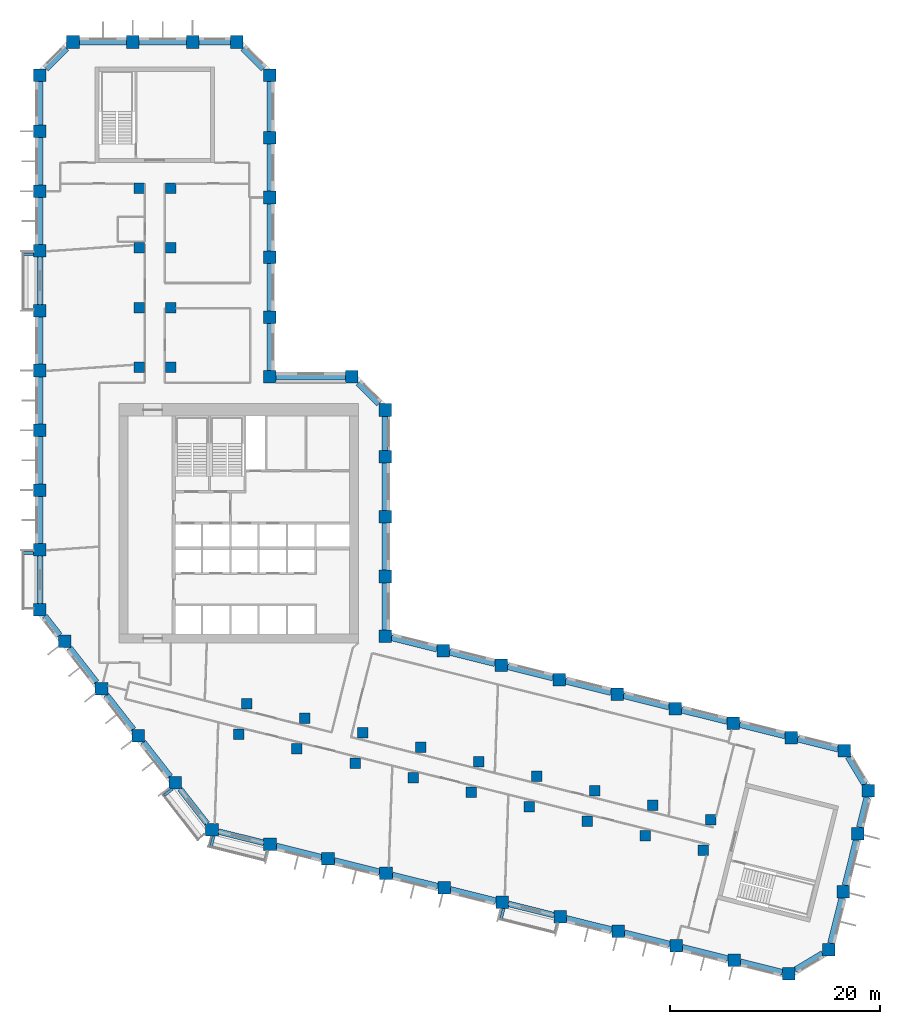
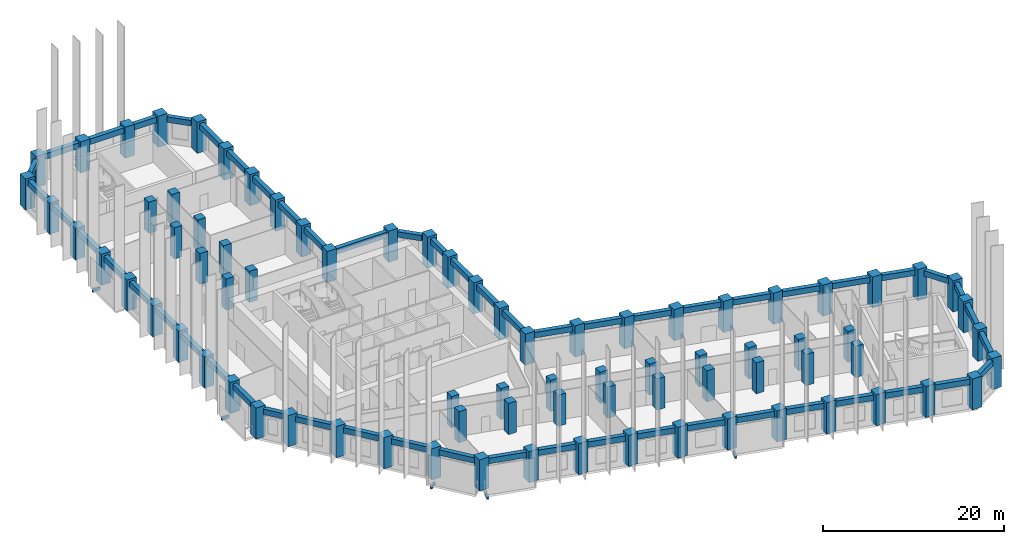
# One storey, part 1 of 10: 79 columns, 58 beams.
"""IFC4 building model written with IfcOpenShell, lengths in metres."""

from ifc_helpers import new_model, si_unit, direction, frame, origin, origin_2d, place, context, subcontext, project, spatial, rectangle, extrude, material, material_profile, profile_set, type_object, element, save


model = new_model("IFC4")

# Units and contexts
model_context = context("Model", 3, precision=1e-05, world=origin(), true_north=direction((0.0, 1.0)))
body_context = subcontext(model_context, "Body", "Model", "MODEL_VIEW")
ifc_project = project(units=[si_unit("LENGTHUNIT", "METRE"), si_unit("AREAUNIT", "SQUARE_METRE"), si_unit("VOLUMEUNIT", "CUBIC_METRE"), si_unit("PLANEANGLEUNIT", "RADIAN"), si_unit("MASSUNIT", "GRAM", prefix="KILO")], contexts=[model_context])

# Site, building, storey
site_placement = place(None, origin())
site = spatial("IfcSite", under=ifc_project, at=site_placement, CompositionType="ELEMENT")
building_placement = place(site_placement, origin())
building = spatial("IfcBuilding", under=site, at=building_placement, Name="Meshkara Civic Tower", CompositionType="ELEMENT")
storey_placement = place(building_placement, frame((0.0, 0.0, 161.39990234375)))
storey = spatial("IfcBuildingStorey", under=building, at=storey_placement, Name="L36", CompositionType="ELEMENT", Elevation=161.39990234375)

# Columns
ifc_material_1 = material(Name="Concrete C70", Category="concrete")
ifc_material_profile_1 = material_profile(ifc_material_1, rectangle(XDim=1.0, YDim=1.0, at=origin_2d()))
ifc_profile_set_1 = profile_set([ifc_material_profile_1], Name="Concrete C70")
column_type_1 = type_object("IfcColumnType", Name="Interior column RC 1000x1000 C70", PredefinedType="COLUMN", material=ifc_profile_set_1)
for number, where, z_axis, x_axis, name in (
    (1, (9.89990234375, 40.35009765625, 0.0), (0.0, 0.0, 1.0), (1.0, 0.0, 0.0), "Column SA1-04 L36"),
    (2, (9.89990234375, 46.050048828125, 0.0), (0.0, 0.0, 1.0), (1.0, 0.0, 0.0), "Column SA1-05 L36"),
    (3, (9.89990234375, 51.75, 0.0), (0.0, 0.0, 1.0), (1.0, 0.0, 0.0), "Column SA1-06 L36"),
    (4, (9.89990234375, 57.449951171875, 0.0), (0.0, 0.0, 1.0), (1.0, 0.0, 0.0), "Column SA1-07 L36"),
    (5, (12.89990234375, 40.35009765625, 0.0), (0.0, 0.0, 1.0), (1.0, 0.0, 0.0), "Column SA2-04 L36"),
    (6, (12.89990234375, 46.050048828125, 0.0), (0.0, 0.0, 1.0), (1.0, 0.0, 0.0), "Column SA2-05 L36"),
    (7, (12.89990234375, 51.75, 0.0), (0.0, 0.0, 1.0), (1.0, 0.0, 0.0), "Column SA2-06 L36"),
    (8, (12.89990234375, 57.449951171875, 0.0), (0.0, 0.0, 1.0), (1.0, 0.0, 0.0), "Column SA2-07 L36"),
    (9, (19.424072265625, 5.360107421875, 0.0), (0.0, 0.0, 1.0), (1.0, 0.0, 0.0), "Column SB1-00 L36"),
    (10, (24.9541015625, 3.98095703125, 0.0), (0.0, 0.0, 1.0), (1.0, 0.0, 0.0), "Column SB1-01 L36"),
    (11, (30.485107421875, 2.60205078125, 0.0), (0.0, 0.0, 1.0), (1.0, 0.0, 0.0), "Column SB1-02 L36"),
    (12, (36.01611328125, 1.222900390625, 0.0), (0.0, 0.0, 1.0), (1.0, 0.0, 0.0), "Column SB1-03 L36"),
    (13, (41.5458984375, -0.156005859375, 0.0), (0.0, 0.0, 1.0), (1.0, 0.0, 0.0), "Column SB1-04 L36"),
    (14, (47.076904296875, -1.534912109375, 0.0), (0.0, 0.0, 1.0), (1.0, 0.0, 0.0), "Column SB1-05 L36"),
    (15, (52.60791015625, -2.9140625, 0.0), (0.0, 0.0, 1.0), (1.0, 0.0, 0.0), "Column SB1-06 L36"),
    (16, (58.138916015625, -4.2919921875, 0.0), (0.0, 0.0, 1.0), (1.0, 0.0, 0.0), "Column SB1-07 L36"),
    (17, (63.6689453125, -5.6708984375, 0.0), (0.0, 0.0, 1.0), (1.0, 0.0, 0.0), "Column SB1-08 L36"),
    (18, (20.14892578125, 8.27099609375, 0.0), (0.0, 0.0, 1.0), (1.0, 0.0, 0.0), "Column SB2-00 L36"),
    (19, (25.679931640625, 6.89208984375, 0.0), (0.0, 0.0, 1.0), (1.0, 0.0, 0.0), "Column SB2-01 L36"),
    (20, (31.2109375, 5.512939453125, 0.0), (0.0, 0.0, 1.0), (1.0, 0.0, 0.0), "Column SB2-02 L36"),
    (21, (36.741943359375, 4.134033203125, 0.0), (0.0, 0.0, 1.0), (1.0, 0.0, 0.0), "Column SB2-03 L36"),
    (22, (42.27197265625, 2.7548828125, 0.0), (0.0, 0.0, 1.0), (1.0, 0.0, 0.0), "Column SB2-04 L36"),
    (23, (47.802978515625, 1.3759765625, 0.0), (0.0, 0.0, 1.0), (1.0, 0.0, 0.0), "Column SB2-05 L36"),
    (24, (53.333984375, -0.0029296875, 0.0), (0.0, 0.0, 1.0), (1.0, 0.0, 0.0), "Column SB2-06 L36"),
    (25, (58.864013671875, -1.382080078125, 0.0), (0.0, 0.0, 1.0), (1.0, 0.0, 0.0), "Column SB2-07 L36"),
    (26, (64.39501953125, -2.760986328125, 0.0), (0.0, 0.0, 1.0), (1.0, 0.0, 0.0), "Column SB2-08 L36"),
):
    element("IfcColumn", number, at=place(storey_placement, frame(where, z_axis=z_axis, x_axis=x_axis)), inside=storey, type_object=column_type_1, Name=name, PredefinedType="COLUMN", context=body_context, shape_type="SweptSolid", body=[
        extrude(rectangle(XDim=1.0, YDim=1.0, at=origin_2d()), origin(), (0.0, 0.0, 1.0), 4.2001953125),
    ])
ifc_material_2 = material(Name="Concrete C70", Category="concrete")
ifc_material_profile_2 = material_profile(ifc_material_2, rectangle(XDim=1.199951171875, YDim=1.199951171875, at=origin_2d()))
ifc_profile_set_2 = profile_set([ifc_material_profile_2], Name="Concrete C70")
column_type_2 = type_object("IfcColumnType", Name="Perimeter column RC 1200x1200 C70", PredefinedType="COLUMN", material=ifc_profile_set_2)
for number, where, z_axis, x_axis, name in (
    (27, (33.35009765625, 14.718994140625, 0.0), (0.0, 0.0, 1.0), (1.0, 0.0, 0.0), "Column HE00 L36"),
    (28, (33.35009765625, 20.4189453125, 0.0), (0.0, 0.0, 1.0), (1.0, 0.0, 0.0), "Column HE01 L36"),
    (29, (33.35009765625, 26.118896484375, 0.0), (0.0, 0.0, 1.0), (1.0, 0.0, 0.0), "Column HE02 L36"),
    (30, (33.35009765625, 31.819091796875, 0.0), (0.0, 0.0, 1.0), (1.0, 0.0, 0.0), "Column HE03 L36"),
    (31, (33.35009765625, 36.2939453125, 0.0), (0.0, 0.0, 1.0), (1.0, 0.0, 0.0), "Column HEE L36"),
    (32, (30.194091796875, 39.449951171875, 0.0), (0.0, 0.0, 1.0), (1.0, 0.0, 0.0), "Column HCeE L36"),
    (33, (22.35009765625, 39.449951171875, 0.0), (0.0, 0.0, 1.0), (1.0, 0.0, 0.0), "Column HN00 L36"),
    (34, (22.35009765625, 45.14990234375, 0.0), (0.0, 0.0, 1.0), (1.0, 0.0, 0.0), "Column AE01 L36"),
    (35, (22.35009765625, 50.85009765625, 0.0), (0.0, 0.0, 1.0), (1.0, 0.0, 0.0), "Column AE02 L36"),
    (36, (22.35009765625, 56.550048828125, 0.0), (0.0, 0.0, 1.0), (1.0, 0.0, 0.0), "Column AE03 L36"),
    (37, (22.35009765625, 62.25, 0.0), (0.0, 0.0, 1.0), (1.0, 0.0, 0.0), "Column AE04 L36"),
    (38, (22.35009765625, 68.214111328125, 0.0), (0.0, 0.0, 1.0), (1.0, 0.0, 0.0), "Column AEEP2 L36"),
    (39, (19.194091796875, 71.3701171875, 0.0), (0.0, 0.0, 1.0), (1.0, 0.0, 0.0), "Column ATiEP2 L36"),
    (40, (3.60595703125, 71.3701171875, 0.0), (0.0, 0.0, 1.0), (1.0, 0.0, 0.0), "Column AT00-P2 L36"),
    (41, (9.305908203125, 71.3701171875, 0.0), (0.0, 0.0, 1.0), (1.0, 0.0, 0.0), "Column AT01-P2 L36"),
    (42, (15.006103515625, 71.3701171875, 0.0), (0.0, 0.0, 1.0), (1.0, 0.0, 0.0), "Column AT02-P2 L36"),
    (43, (0.449951171875, 68.214111328125, 0.0), (0.0, 0.0, 1.0), (1.0, 0.0, 0.0), "Column ATo00-P2 L36"),
    (44, (0.449951171875, 17.2548828125, 0.0), (0.0, 0.0, 1.0), (1.0, 0.0, 0.0), "Column AW00 L36"),
    (45, (0.449951171875, 22.955078125, 0.0), (0.0, 0.0, 1.0), (1.0, 0.0, 0.0), "Column AW01 L36"),
    (46, (0.449951171875, 28.655029296875, 0.0), (0.0, 0.0, 1.0), (1.0, 0.0, 0.0), "Column AW02 L36"),
    (47, (0.449951171875, 34.35498046875, 0.0), (0.0, 0.0, 1.0), (1.0, 0.0, 0.0), "Column AW03 L36"),
    (48, (0.449951171875, 40.054931640625, 0.0), (0.0, 0.0, 1.0), (1.0, 0.0, 0.0), "Column AW04 L36"),
    (49, (0.449951171875, 45.7548828125, 0.0), (0.0, 0.0, 1.0), (1.0, 0.0, 0.0), "Column AW05 L36"),
    (50, (0.449951171875, 51.455078125, 0.0), (0.0, 0.0, 1.0), (1.0, 0.0, 0.0), "Column AW06 L36"),
    (51, (0.449951171875, 57.155029296875, 0.0), (0.0, 0.0, 1.0), (1.0, 0.0, 0.0), "Column AW07 L36"),
    (52, (0.449951171875, 62.85498046875, 0.0), (0.0, 0.0, 1.0), (1.0, 0.0, 0.0), "Column AW08 L36"),
    (53, (16.85107421875, -3.738037109375, 0.0), (0.0, 0.0, 1.0), (1.0, 0.0, 0.0), "Column BOW00 L36"),
    (54, (13.342041015625, 0.75390625, 0.0), (0.0, 0.0, 1.0), (1.0, 0.0, 0.0), "Column BOW01 L36"),
    (55, (9.8330078125, 5.2451171875, 0.0), (0.0, 0.0, 1.0), (1.0, 0.0, 0.0), "Column BOW02 L36"),
    (56, (6.322998046875, 9.737060546875, 0.0), (0.0, 0.0, 1.0), (1.0, 0.0, 0.0), "Column BOW03 L36"),
    (57, (2.81396484375, 14.22900390625, 0.0), (0.0, 0.0, 1.0), (1.0, 0.0, 0.0), "Column BOW04 L36"),
    (58, (22.382080078125, -5.116943359375, 0.0), (0.0, 0.0, 1.0), (1.0, 0.0, 0.0), "Column BS01 L36"),
    (59, (27.912109375, -6.49609375, 0.0), (0.0, 0.0, 1.0), (1.0, 0.0, 0.0), "Column BS02 L36"),
    (60, (33.443115234375, -7.875, 0.0), (0.0, 0.0, 1.0), (1.0, 0.0, 0.0), "Column BS03 L36"),
    (61, (38.97412109375, -9.2529296875, 0.0), (0.0, 0.0, 1.0), (1.0, 0.0, 0.0), "Column BS04-P1 L36"),
    (62, (44.5048828125, -10.632080078125, 0.0), (0.0, 0.0, 1.0), (1.0, 0.0, 0.0), "Column BS05 L36"),
    (63, (50.034912109375, -12.010986328125, 0.0), (0.0, 0.0, 1.0), (1.0, 0.0, 0.0), "Column BS06 L36"),
    (64, (55.56591796875, -13.389892578125, 0.0), (0.0, 0.0, 1.0), (1.0, 0.0, 0.0), "Column BS07 L36"),
    (65, (61.096923828125, -14.76904296875, 0.0), (0.0, 0.0, 1.0), (1.0, 0.0, 0.0), "Column BS08 L36"),
    (66, (66.626953125, -16.14794921875, 0.0), (0.0, 0.0, 1.0), (1.0, 0.0, 0.0), "Column BS09 L36"),
    (67, (71.826904296875, -17.444091796875, 0.0), (0.0, 0.0, 1.0), (1.0, 0.0, 0.0), "Column BSEP2 L36"),
    (68, (75.653076171875, -15.14501953125, 0.0), (0.0, 0.0, 1.0), (1.0, 0.0, 0.0), "Column BToEP2 L36"),
    (69, (77.031982421875, -9.614013671875, 0.0), (0.0, 0.0, 1.0), (1.0, 0.0, 0.0), "Column BT01-P2 L36"),
    (70, (78.410888671875, -4.083984375, 0.0), (0.0, 0.0, 1.0), (1.0, 0.0, 0.0), "Column BT02-P2 L36"),
    (71, (79.424072265625, -0.02099609375, 0.0), (0.0, 0.0, 1.0), (1.0, 0.0, 0.0), "Column BTEP2 L36"),
    (72, (77.125, 3.803955078125, 0.0), (0.0, 0.0, 1.0), (1.0, 0.0, 0.0), "Column BTi00-P2 L36"),
    (73, (38.881103515625, 13.340087890625, 0.0), (0.0, 0.0, 1.0), (1.0, 0.0, 0.0), "Column BN01 L36"),
    (74, (44.410888671875, 11.9609375, 0.0), (0.0, 0.0, 1.0), (1.0, 0.0, 0.0), "Column BN02 L36"),
    (75, (49.94189453125, 10.58203125, 0.0), (0.0, 0.0, 1.0), (1.0, 0.0, 0.0), "Column BN03 L36"),
    (76, (55.472900390625, 9.202880859375, 0.0), (0.0, 0.0, 1.0), (1.0, 0.0, 0.0), "Column BN04 L36"),
    (77, (61.0029296875, 7.823974609375, 0.0), (0.0, 0.0, 1.0), (1.0, 0.0, 0.0), "Column BN05 L36"),
    (78, (66.533935546875, 6.445068359375, 0.0), (0.0, 0.0, 1.0), (1.0, 0.0, 0.0), "Column BN06 L36"),
    (79, (72.06494140625, 5.06591796875, 0.0), (0.0, 0.0, 1.0), (1.0, 0.0, 0.0), "Column BN07 L36"),
):
    element("IfcColumn", number, at=place(storey_placement, frame(where, z_axis=z_axis, x_axis=x_axis)), inside=storey, type_object=column_type_2, Name=name, PredefinedType="COLUMN", context=body_context, shape_type="SweptSolid", body=[
        extrude(rectangle(XDim=1.199951171875, YDim=1.199951171875, at=origin_2d()), origin(), (0.0, 0.0, 1.0), 4.2001953125),
    ])

# Beams
ifc_material_3 = material(Name="Concrete C50", Category="concrete")
ifc_material_profile_3 = material_profile(ifc_material_3, rectangle(XDim=0.25, YDim=0.39990234375, at=origin_2d()))
ifc_profile_set_3 = profile_set([ifc_material_profile_3], Name="Concrete C50")
beam_type_1 = type_object("IfcBeamType", Name="Balcony bracket beam RC 250x400 C50", PredefinedType="BEAM", material=ifc_profile_set_3)
for number, where, z_axis, x_axis, name in (
    (80, (-0.14501953125, 51.155029296875, -0.5), (-1.0, 0.0, 0.0), (0.0, -1.0, 0.0), "Balcony bracket beam"),
    (81, (-0.14501953125, 22.655029296875, -0.5), (-1.0, 0.0, 0.0), (0.0, -1.0, 0.0), "Balcony bracket beam"),
):
    element("IfcBeam", number, at=place(storey_placement, frame(where, z_axis=z_axis, x_axis=x_axis)), inside=storey, type_object=beam_type_1, Name=name, PredefinedType="BEAM", context=body_context, shape_type="SweptSolid", body=[
        extrude(rectangle(XDim=0.25, YDim=0.39990234375, at=origin_2d()), origin(), (0.0, 0.0, 1.0), 0.955078125),
    ])
beam_1_placement = place(storey_placement, frame((13.06494140625, 0.156982421875, -0.5), z_axis=(-0.787905405849, -0.615796290533, 0.0), x_axis=(0.615796290533, -0.787905405849, 0.0)))
element("IfcBeam", 82, at=beam_1_placement, inside=storey, type_object=beam_type_1, Name="Balcony bracket beam", PredefinedType="BEAM", context=body_context, shape_type="SweptSolid", body=[
    extrude(rectangle(XDim=0.25, YDim=0.39990234375, at=origin_2d()), origin(), (0.0, 0.0, 1.0), 0.964599609375),
])
beam_2_placement = place(storey_placement, frame((17.011962890625, -4.3330078125, -0.5), z_axis=(-0.242194710816, -0.970227665063, 0.0), x_axis=(0.970227665063, -0.242194710816, 0.0)))
element("IfcBeam", 83, at=beam_2_placement, inside=storey, type_object=beam_type_1, Name="Balcony bracket beam", PredefinedType="BEAM", context=body_context, shape_type="SweptSolid", body=[
    extrude(rectangle(XDim=0.25, YDim=0.39990234375, at=origin_2d()), origin(), (0.0, 0.0, 1.0), 1.010986328125),
])
beam_3_placement = place(storey_placement, frame((44.666015625, -11.22705078125, -0.5), z_axis=(-0.24219504991, -0.970227580416, 0.0), x_axis=(0.970227580416, -0.24219504991, 0.0)))
element("IfcBeam", 84, at=beam_3_placement, inside=storey, type_object=beam_type_1, Name="Balcony bracket beam", PredefinedType="BEAM", context=body_context, shape_type="SweptSolid", body=[
    extrude(rectangle(XDim=0.25, YDim=0.39990234375, at=origin_2d()), origin(), (0.0, 0.0, 1.0), 1.011962890625),
])
ifc_material_4 = material(Name="Concrete C60", Category="concrete")
ifc_material_profile_4 = material_profile(ifc_material_4, rectangle(XDim=0.550048828125, YDim=0.75, at=origin_2d()))
ifc_profile_set_4 = profile_set([ifc_material_profile_4], Name="Concrete C60")
beam_type_2 = type_object("IfcBeamType", Name="Spandrel beam RC 550x750 C60", PredefinedType="BEAM", material=ifc_profile_set_4)
for number, where, z_axis, x_axis, name in (
    (85, (71.469970703125, 5.21435546875, 3.525146484375), (-0.970296390995, 0.241919229543, 0.0), (-0.241919229543, -0.970296390995, 0.0), "Spandrel beam BN06-BN07"),
    (86, (65.93896484375, 6.593505859375, 3.525146484375), (-0.970309199754, 0.241867850018, 0.0), (-0.241867850018, -0.970309199754, 0.0), "Spandrel beam BN05-BN06"),
):
    element("IfcBeam", number, at=place(storey_placement, frame(where, z_axis=z_axis, x_axis=x_axis)), inside=storey, type_object=beam_type_2, Name=name, PredefinedType="BEAM", context=body_context, shape_type="SweptSolid", body=[
        extrude(rectangle(XDim=0.550048828125, YDim=0.75, at=origin_2d()), origin(), (0.0, 0.0, 1.0), 4.4736328125),
    ])
beam_4_placement = place(storey_placement, frame((60.407958984375, 7.972412109375, 3.525146484375), z_axis=(-0.970283611566, 0.241970479865, 0.0), x_axis=(-0.241970479865, -0.970283611566, 0.0)))
element("IfcBeam", 87, at=beam_4_placement, inside=storey, type_object=beam_type_2, Name="Spandrel beam BN04-BN05", PredefinedType="BEAM", context=body_context, shape_type="SweptSolid", body=[
    extrude(rectangle(XDim=0.550048828125, YDim=0.75, at=origin_2d()), origin(), (0.0, 0.0, 1.0), 4.47265625),
])
for number, where, z_axis, x_axis, name in (
    (88, (54.8779296875, 9.351318359375, 3.525146484375), (-0.970296390995, 0.241919229543, 0.0), (-0.241919229543, -0.970296390995, 0.0), "Spandrel beam BN03-BN04"),
    (89, (49.346923828125, 10.73046875, 3.525146484375), (-0.970309199754, 0.241867850018, 0.0), (-0.241867850018, -0.970309199754, 0.0), "Spandrel beam BN02-BN03"),
):
    element("IfcBeam", number, at=place(storey_placement, frame(where, z_axis=z_axis, x_axis=x_axis)), inside=storey, type_object=beam_type_2, Name=name, PredefinedType="BEAM", context=body_context, shape_type="SweptSolid", body=[
        extrude(rectangle(XDim=0.550048828125, YDim=0.75, at=origin_2d()), origin(), (0.0, 0.0, 1.0), 4.4736328125),
    ])
beam_5_placement = place(storey_placement, frame((43.81591796875, 12.109375, 3.525146484375), z_axis=(-0.970283611566, 0.241970479865, 0.0), x_axis=(-0.241970479865, -0.970283611566, 0.0)))
element("IfcBeam", 90, at=beam_5_placement, inside=storey, type_object=beam_type_2, Name="Spandrel beam BN01-BN02", PredefinedType="BEAM", context=body_context, shape_type="SweptSolid", body=[
    extrude(rectangle(XDim=0.550048828125, YDim=0.75, at=origin_2d()), origin(), (0.0, 0.0, 1.0), 4.47265625),
])
beam_6_placement = place(storey_placement, frame((38.285888671875, 13.48828125, 3.525146484375), z_axis=(-0.970296390995, 0.241919229543, 0.0), x_axis=(-0.241919229543, -0.970296390995, 0.0)))
element("IfcBeam", 91, at=beam_6_placement, inside=storey, type_object=beam_type_2, Name="Spandrel beam BN01-HE00", PredefinedType="BEAM", context=body_context, shape_type="SweptSolid", body=[
    extrude(rectangle(XDim=0.550048828125, YDim=0.75, at=origin_2d()), origin(), (0.0, 0.0, 1.0), 4.4736328125),
])
for number, where, z_axis, x_axis, name in (
    (92, (33.35009765625, 15.31396484375, 3.525146484375), (0.0, 1.0, 0.0), (-1.0, 0.0, 0.0), "Spandrel beam HE00-HE01"),
    (93, (33.35009765625, 21.013916015625, 3.525146484375), (0.0, 1.0, 0.0), (-1.0, 0.0, 0.0), "Spandrel beam HE01-HE02"),
    (94, (33.35009765625, 26.714111328125, 3.525146484375), (0.0, 1.0, 0.0), (-1.0, 0.0, 0.0), "Spandrel beam HE02-HE03"),
):
    element("IfcBeam", number, at=place(storey_placement, frame(where, z_axis=z_axis, x_axis=x_axis)), inside=storey, type_object=beam_type_2, Name=name, PredefinedType="BEAM", context=body_context, shape_type="SweptSolid", body=[
        extrude(rectangle(XDim=0.550048828125, YDim=0.75, at=origin_2d()), origin(), (0.0, 0.0, 1.0), 4.510009765625),
    ])
beam_7_placement = place(storey_placement, frame((33.35009765625, 32.4140625, 3.525146484375), z_axis=(0.0, 1.0, 0.0), x_axis=(-1.0, 0.0, 0.0)))
element("IfcBeam", 95, at=beam_7_placement, inside=storey, type_object=beam_type_2, Name="Spandrel beam HE03-HEE", PredefinedType="BEAM", context=body_context, shape_type="SweptSolid", body=[
    extrude(rectangle(XDim=0.550048828125, YDim=0.75, at=origin_2d()), origin(), (0.0, 0.0, 1.0), 3.284912109375),
])
beam_8_placement = place(storey_placement, frame((32.75341796875, 36.890380859375, 3.525146484375), z_axis=(-0.707062808252, 0.707150751387, 0.0), x_axis=(-0.707150751387, -0.707062808252, 0.0)))
element("IfcBeam", 96, at=beam_8_placement, inside=storey, type_object=beam_type_2, Name="Spandrel beam HCeE-HEE", PredefinedType="BEAM", context=body_context, shape_type="SweptSolid", body=[
    extrude(rectangle(XDim=0.550048828125, YDim=0.75, at=origin_2d()), origin(), (0.0, 0.0, 1.0), 2.776123046875),
])
beam_9_placement = place(storey_placement, frame((29.59912109375, 39.449951171875, 3.525146484375), z_axis=(-1.0, 0.0, 0.0), x_axis=(0.0, -1.0, 0.0)))
element("IfcBeam", 97, at=beam_9_placement, inside=storey, type_object=beam_type_2, Name="Spandrel beam HCeE-HN00", PredefinedType="BEAM", context=body_context, shape_type="SweptSolid", body=[
    extrude(rectangle(XDim=0.550048828125, YDim=0.75, at=origin_2d()), origin(), (0.0, 0.0, 1.0), 6.654052734375),
])
beam_10_placement = place(storey_placement, frame((22.35009765625, 40.044921875, 3.525146484375), z_axis=(0.0, 1.0, 0.0), x_axis=(-1.0, 0.0, 0.0)))
element("IfcBeam", 98, at=beam_10_placement, inside=storey, type_object=beam_type_2, Name="Spandrel beam AE01-HN00", PredefinedType="BEAM", context=body_context, shape_type="SweptSolid", body=[
    extrude(rectangle(XDim=0.550048828125, YDim=0.75, at=origin_2d()), origin(), (0.0, 0.0, 1.0), 4.510009765625),
])
beam_11_placement = place(storey_placement, frame((22.35009765625, 45.7451171875, 3.525146484375), z_axis=(0.0, 1.0, 0.0), x_axis=(-1.0, 0.0, 0.0)))
element("IfcBeam", 99, at=beam_11_placement, inside=storey, type_object=beam_type_2, Name="Spandrel beam AE01-AE02", PredefinedType="BEAM", context=body_context, shape_type="SweptSolid", body=[
    extrude(rectangle(XDim=0.550048828125, YDim=0.75, at=origin_2d()), origin(), (0.0, 0.0, 1.0), 4.509765625),
])
for number, where, z_axis, x_axis, name in (
    (100, (22.35009765625, 51.445068359375, 3.525146484375), (0.0, 1.0, 0.0), (-1.0, 0.0, 0.0), "Spandrel beam AE02-AE03"),
    (101, (22.35009765625, 57.14501953125, 3.525146484375), (0.0, 1.0, 0.0), (-1.0, 0.0, 0.0), "Spandrel beam AE03-AE04"),
):
    element("IfcBeam", number, at=place(storey_placement, frame(where, z_axis=z_axis, x_axis=x_axis)), inside=storey, type_object=beam_type_2, Name=name, PredefinedType="BEAM", context=body_context, shape_type="SweptSolid", body=[
        extrude(rectangle(XDim=0.550048828125, YDim=0.75, at=origin_2d()), origin(), (0.0, 0.0, 1.0), 4.510009765625),
    ])
beam_12_placement = place(storey_placement, frame((22.35009765625, 62.844970703125, 3.525146484375), z_axis=(0.0, 1.0, 0.0), x_axis=(-1.0, 0.0, 0.0)))
element("IfcBeam", 102, at=beam_12_placement, inside=storey, type_object=beam_type_2, Name="Spandrel beam AE04-AEEP2", PredefinedType="BEAM", context=body_context, shape_type="SweptSolid", body=[
    extrude(rectangle(XDim=0.550048828125, YDim=0.75, at=origin_2d()), origin(), (0.0, 0.0, 1.0), 4.77392578125),
])
beam_13_placement = place(storey_placement, frame((21.75341796875, 68.810546875, 3.525146484375), z_axis=(-0.707106781187, 0.707106781187, 0.0), x_axis=(-0.707106781187, -0.707106781187, 0.0)))
element("IfcBeam", 103, at=beam_13_placement, inside=storey, type_object=beam_type_2, Name="Spandrel beam AEEP2-ATiEP2", PredefinedType="BEAM", context=body_context, shape_type="SweptSolid", body=[
    extrude(rectangle(XDim=0.550048828125, YDim=0.75, at=origin_2d()), origin(), (0.0, 0.0, 1.0), 2.77587890625),
])
beam_14_placement = place(storey_placement, frame((18.59912109375, 71.3701171875, 3.525146484375), z_axis=(-1.0, 0.0, 0.0), x_axis=(0.0, -1.0, 0.0)))
element("IfcBeam", 104, at=beam_14_placement, inside=storey, type_object=beam_type_2, Name="Spandrel beam AT02-P2-ATiEP2", PredefinedType="BEAM", context=body_context, shape_type="SweptSolid", body=[
    extrude(rectangle(XDim=0.550048828125, YDim=0.75, at=origin_2d()), origin(), (0.0, 0.0, 1.0), 2.998046875),
])
for number, where, z_axis, x_axis, name in (
    (105, (14.410888671875, 71.3701171875, 3.525146484375), (-1.0, 0.0, 0.0), (0.0, -1.0, 0.0), "Spandrel beam AT01-P2-AT02-P2"),
    (106, (8.7109375, 71.3701171875, 3.525146484375), (-1.0, 0.0, 0.0), (0.0, -1.0, 0.0), "Spandrel beam AT00-P2-AT01-P2"),
):
    element("IfcBeam", number, at=place(storey_placement, frame(where, z_axis=z_axis, x_axis=x_axis)), inside=storey, type_object=beam_type_2, Name=name, PredefinedType="BEAM", context=body_context, shape_type="SweptSolid", body=[
        extrude(rectangle(XDim=0.550048828125, YDim=0.75, at=origin_2d()), origin(), (0.0, 0.0, 1.0), 4.510009765625),
    ])
beam_15_placement = place(storey_placement, frame((3.009521484375, 70.7734375, 3.525146484375), z_axis=(-0.707150751387, -0.707062808252, 0.0), x_axis=(0.707062808252, -0.707150751387, 0.0)))
element("IfcBeam", 107, at=beam_15_placement, inside=storey, type_object=beam_type_2, Name="Spandrel beam AT00-P2-ATo00-P2", PredefinedType="BEAM", context=body_context, shape_type="SweptSolid", body=[
    extrude(rectangle(XDim=0.550048828125, YDim=0.75, at=origin_2d()), origin(), (0.0, 0.0, 1.0), 2.776123046875),
])
beam_16_placement = place(storey_placement, frame((0.449951171875, 67.618896484375, 3.525146484375), z_axis=(0.0, -1.0, 0.0), x_axis=(1.0, 0.0, 0.0)))
element("IfcBeam", 108, at=beam_16_placement, inside=storey, type_object=beam_type_2, Name="Spandrel beam ATo00-P2-AW08", PredefinedType="BEAM", context=body_context, shape_type="SweptSolid", body=[
    extrude(rectangle(XDim=0.550048828125, YDim=0.75, at=origin_2d()), origin(), (0.0, 0.0, 1.0), 4.1689453125),
])
for number, where, z_axis, x_axis, name in (
    (109, (0.449951171875, 62.260009765625, 3.525146484375), (0.0, -1.0, 0.0), (1.0, 0.0, 0.0), "Spandrel beam AW07-AW08"),
    (110, (0.449951171875, 56.56005859375, 3.525146484375), (0.0, -1.0, 0.0), (1.0, 0.0, 0.0), "Spandrel beam AW06-AW07"),
    (111, (0.449951171875, 50.860107421875, 3.525146484375), (0.0, -1.0, 0.0), (1.0, 0.0, 0.0), "Spandrel beam AW05-AW06"),
    (112, (0.449951171875, 45.159912109375, 3.525146484375), (0.0, -1.0, 0.0), (1.0, 0.0, 0.0), "Spandrel beam AW04-AW05"),
    (113, (0.449951171875, 39.4599609375, 3.525146484375), (0.0, -1.0, 0.0), (1.0, 0.0, 0.0), "Spandrel beam AW03-AW04"),
    (114, (0.449951171875, 33.760009765625, 3.525146484375), (0.0, -1.0, 0.0), (1.0, 0.0, 0.0), "Spandrel beam AW02-AW03"),
    (115, (0.449951171875, 28.06005859375, 3.525146484375), (0.0, -1.0, 0.0), (1.0, 0.0, 0.0), "Spandrel beam AW01-AW02"),
    (116, (0.449951171875, 22.360107421875, 3.525146484375), (0.0, -1.0, 0.0), (1.0, 0.0, 0.0), "Spandrel beam AW00-AW01"),
):
    element("IfcBeam", number, at=place(storey_placement, frame(where, z_axis=z_axis, x_axis=x_axis)), inside=storey, type_object=beam_type_2, Name=name, PredefinedType="BEAM", context=body_context, shape_type="SweptSolid", body=[
        extrude(rectangle(XDim=0.550048828125, YDim=0.75, at=origin_2d()), origin(), (0.0, 0.0, 1.0), 4.510009765625),
    ])
beam_17_placement = place(storey_placement, frame((0.915771484375, 16.658935546875, 3.525146484375), z_axis=(0.615646077935, -0.788022783124, 0.0), x_axis=(0.788022783124, 0.615646077935, 0.0)))
element("IfcBeam", 117, at=beam_17_placement, inside=storey, type_object=beam_type_2, Name="Spandrel beam AW00-BOW04", PredefinedType="BEAM", context=body_context, shape_type="SweptSolid", body=[
    extrude(rectangle(XDim=0.550048828125, YDim=0.75, at=origin_2d()), origin(), (0.0, 0.0, 1.0), 2.326904296875),
])
beam_18_placement = place(storey_placement, frame((3.279541015625, 13.6328125, 3.525146484375), z_axis=(0.615630464754, -0.788034980738, 0.0), x_axis=(0.788034980738, 0.615630464754, 0.0)))
element("IfcBeam", 118, at=beam_18_placement, inside=storey, type_object=beam_type_2, Name="Spandrel beam BOW03-BOW04", PredefinedType="BEAM", context=body_context, shape_type="SweptSolid", body=[
    extrude(rectangle(XDim=0.550048828125, YDim=0.75, at=origin_2d()), origin(), (0.0, 0.0, 1.0), 4.1875),
])
beam_19_placement = place(storey_placement, frame((6.788818359375, 9.140869140625, 3.525146484375), z_axis=(0.61570287025, -0.787978410596, 0.0), x_axis=(0.787978410596, 0.61570287025, 0.0)))
element("IfcBeam", 119, at=beam_19_placement, inside=storey, type_object=beam_type_2, Name="Spandrel beam BOW02-BOW03", PredefinedType="BEAM", context=body_context, shape_type="SweptSolid", body=[
    extrude(rectangle(XDim=0.550048828125, YDim=0.75, at=origin_2d()), origin(), (0.0, 0.0, 1.0), 4.187744140625),
])
beam_20_placement = place(storey_placement, frame((10.298583984375, 4.64892578125, 3.525146484375), z_axis=(0.615707413829, -0.787974860358, 0.0), x_axis=(0.787974860358, 0.615707413829, 0.0)))
element("IfcBeam", 120, at=beam_20_placement, inside=storey, type_object=beam_type_2, Name="Spandrel beam BOW01-BOW02", PredefinedType="BEAM", context=body_context, shape_type="SweptSolid", body=[
    extrude(rectangle(XDim=0.550048828125, YDim=0.75, at=origin_2d()), origin(), (0.0, 0.0, 1.0), 4.1865234375),
])
beam_21_placement = place(storey_placement, frame((13.8076171875, 0.157958984375, 3.525146484375), z_axis=(0.615630464754, -0.788034980738, 0.0), x_axis=(0.788034980738, 0.615630464754, 0.0)))
element("IfcBeam", 121, at=beam_21_placement, inside=storey, type_object=beam_type_2, Name="Spandrel beam BOW00-BOW01", PredefinedType="BEAM", context=body_context, shape_type="SweptSolid", body=[
    extrude(rectangle(XDim=0.550048828125, YDim=0.75, at=origin_2d()), origin(), (0.0, 0.0, 1.0), 4.1875),
])
beam_22_placement = place(storey_placement, frame((17.446044921875, -3.886474609375, 3.525146484375), z_axis=(0.970309199754, -0.241867850018, 0.0), x_axis=(0.241867850018, 0.970309199754, 0.0)))
element("IfcBeam", 122, at=beam_22_placement, inside=storey, type_object=beam_type_2, Name="Spandrel beam BOW00-BS01", PredefinedType="BEAM", context=body_context, shape_type="SweptSolid", body=[
    extrude(rectangle(XDim=0.550048828125, YDim=0.75, at=origin_2d()), origin(), (0.0, 0.0, 1.0), 4.4736328125),
])
beam_23_placement = place(storey_placement, frame((22.97705078125, -5.265380859375, 3.525146484375), z_axis=(0.970283611566, -0.241970479865, 0.0), x_axis=(0.241970479865, 0.970283611566, 0.0)))
element("IfcBeam", 123, at=beam_23_placement, inside=storey, type_object=beam_type_2, Name="Spandrel beam BS01-BS02", PredefinedType="BEAM", context=body_context, shape_type="SweptSolid", body=[
    extrude(rectangle(XDim=0.550048828125, YDim=0.75, at=origin_2d()), origin(), (0.0, 0.0, 1.0), 4.47265625),
])
for number, where, z_axis, x_axis, name in (
    (124, (28.507080078125, -6.644287109375, 3.525146484375), (0.970296390995, -0.241919229543, 0.0), (0.241919229543, 0.970296390995, 0.0), "Spandrel beam BS02-BS03"),
    (125, (34.0380859375, -8.023193359375, 3.525146484375), (0.970334810126, -0.241765084863, 0.0), (0.241765084863, 0.970334810126, 0.0), "Spandrel beam BS03-BS04-P1"),
    (126, (39.569091796875, -9.4013671875, 3.525146484375), (0.970296390995, -0.241919229543, 0.0), (0.241919229543, 0.970296390995, 0.0), "Spandrel beam BS04-P1-BS05"),
):
    element("IfcBeam", number, at=place(storey_placement, frame(where, z_axis=z_axis, x_axis=x_axis)), inside=storey, type_object=beam_type_2, Name=name, PredefinedType="BEAM", context=body_context, shape_type="SweptSolid", body=[
        extrude(rectangle(XDim=0.550048828125, YDim=0.75, at=origin_2d()), origin(), (0.0, 0.0, 1.0), 4.4736328125),
    ])
beam_24_placement = place(storey_placement, frame((45.10009765625, -10.780517578125, 3.525146484375), z_axis=(0.970296425585, -0.241919090807, 0.0), x_axis=(0.241919090807, 0.970296425585, 0.0)))
element("IfcBeam", 127, at=beam_24_placement, inside=storey, type_object=beam_type_2, Name="Spandrel beam BS05-BS06", PredefinedType="BEAM", context=body_context, shape_type="SweptSolid", body=[
    extrude(rectangle(XDim=0.550048828125, YDim=0.75, at=origin_2d()), origin(), (0.0, 0.0, 1.0), 4.47265625),
])
for number, where, z_axis, x_axis, name in (
    (128, (50.630126953125, -12.159423828125, 3.525146484375), (0.970296390995, -0.241919229543, 0.0), (0.241919229543, 0.970296390995, 0.0), "Spandrel beam BS06-BS07"),
    (129, (56.1611328125, -13.538330078125, 3.525146484375), (0.970296390995, -0.241919229543, 0.0), (0.241919229543, 0.970296390995, 0.0), "Spandrel beam BS07-BS08"),
):
    element("IfcBeam", number, at=place(storey_placement, frame(where, z_axis=z_axis, x_axis=x_axis)), inside=storey, type_object=beam_type_2, Name=name, PredefinedType="BEAM", context=body_context, shape_type="SweptSolid", body=[
        extrude(rectangle(XDim=0.550048828125, YDim=0.75, at=origin_2d()), origin(), (0.0, 0.0, 1.0), 4.4736328125),
    ])
beam_25_placement = place(storey_placement, frame((61.692138671875, -14.91748046875, 3.525146484375), z_axis=(0.970296425585, -0.241919090807, 0.0), x_axis=(0.241919090807, 0.970296425585, 0.0)))
element("IfcBeam", 130, at=beam_25_placement, inside=storey, type_object=beam_type_2, Name="Spandrel beam BS08-BS09", PredefinedType="BEAM", context=body_context, shape_type="SweptSolid", body=[
    extrude(rectangle(XDim=0.550048828125, YDim=0.75, at=origin_2d()), origin(), (0.0, 0.0, 1.0), 4.47265625),
])
beam_26_placement = place(storey_placement, frame((67.22216796875, -16.29638671875, 3.525146484375), z_axis=(0.970322944839, -0.241812701731, 0.0), x_axis=(0.241812701731, 0.970322944839, 0.0)))
element("IfcBeam", 131, at=beam_26_placement, inside=storey, type_object=beam_type_2, Name="Spandrel beam BS09-BSEP2", PredefinedType="BEAM", context=body_context, shape_type="SweptSolid", body=[
    extrude(rectangle(XDim=0.550048828125, YDim=0.75, at=origin_2d()), origin(), (0.0, 0.0, 1.0), 4.13232421875),
])
beam_27_placement = place(storey_placement, frame((72.422607421875, -17.0859375, 3.525146484375), z_axis=(0.85718440509, 0.515009607358, 0.0), x_axis=(-0.515009607358, 0.85718440509, 0.0)))
element("IfcBeam", 132, at=beam_27_placement, inside=storey, type_object=beam_type_2, Name="Spandrel beam BSEP2-BToEP2", PredefinedType="BEAM", context=body_context, shape_type="SweptSolid", body=[
    extrude(rectangle(XDim=0.550048828125, YDim=0.75, at=origin_2d()), origin(), (0.0, 0.0, 1.0), 3.07373046875),
])
beam_28_placement = place(storey_placement, frame((75.801513671875, -14.5498046875, 3.525146484375), z_axis=(0.241867850018, 0.970309199754, 0.0), x_axis=(-0.970309199754, 0.241867850018, 0.0)))
element("IfcBeam", 133, at=beam_28_placement, inside=storey, type_object=beam_type_2, Name="Spandrel beam BT01-P2-BToEP2", PredefinedType="BEAM", context=body_context, shape_type="SweptSolid", body=[
    extrude(rectangle(XDim=0.550048828125, YDim=0.75, at=origin_2d()), origin(), (0.0, 0.0, 1.0), 4.4736328125),
])
beam_29_placement = place(storey_placement, frame((77.180419921875, -9.018798828125, 3.525146484375), z_axis=(0.241983295733, 0.97028041544, 0.0), x_axis=(-0.97028041544, 0.241983295733, 0.0)))
element("IfcBeam", 134, at=beam_29_placement, inside=storey, type_object=beam_type_2, Name="Spandrel beam BT01-P2-BT02-P2", PredefinedType="BEAM", context=body_context, shape_type="SweptSolid", body=[
    extrude(rectangle(XDim=0.550048828125, YDim=0.75, at=origin_2d()), origin(), (0.0, 0.0, 1.0), 4.472412109375),
])
beam_30_placement = place(storey_placement, frame((78.559326171875, -3.489013671875, 3.525146484375), z_axis=(0.241934114249, 0.970292679743, 0.0), x_axis=(-0.970292679743, 0.241934114249, 0.0)))
element("IfcBeam", 135, at=beam_30_placement, inside=storey, type_object=beam_type_2, Name="Spandrel beam BT02-P2-BTEP2", PredefinedType="BEAM", context=body_context, shape_type="SweptSolid", body=[
    extrude(rectangle(XDim=0.550048828125, YDim=0.75, at=origin_2d()), origin(), (0.0, 0.0, 1.0), 2.960693359375),
])
beam_31_placement = place(storey_placement, frame((79.06591796875, 0.57470703125, 3.525146484375), z_axis=(-0.515126606613, 0.857114099265, 0.0), x_axis=(-0.857114099265, -0.515126606613, 0.0)))
element("IfcBeam", 136, at=beam_31_placement, inside=storey, type_object=beam_type_2, Name="Spandrel beam BTEP2-BTi00-P2", PredefinedType="BEAM", context=body_context, shape_type="SweptSolid", body=[
    extrude(rectangle(XDim=0.550048828125, YDim=0.75, at=origin_2d()), origin(), (0.0, 0.0, 1.0), 3.072509765625),
])
beam_32_placement = place(storey_placement, frame((76.52978515625, 3.952392578125, 3.525146484375), z_axis=(-0.970279182293, 0.241988240227, 0.0), x_axis=(-0.241988240227, -0.970279182293, 0.0)))
element("IfcBeam", 137, at=beam_32_placement, inside=storey, type_object=beam_type_2, Name="Spandrel beam BN07-BTi00-P2", PredefinedType="BEAM", context=body_context, shape_type="SweptSolid", body=[
    extrude(rectangle(XDim=0.550048828125, YDim=0.75, at=origin_2d()), origin(), (0.0, 0.0, 1.0), 3.98828125),
])

save(model, "model.ifc")
